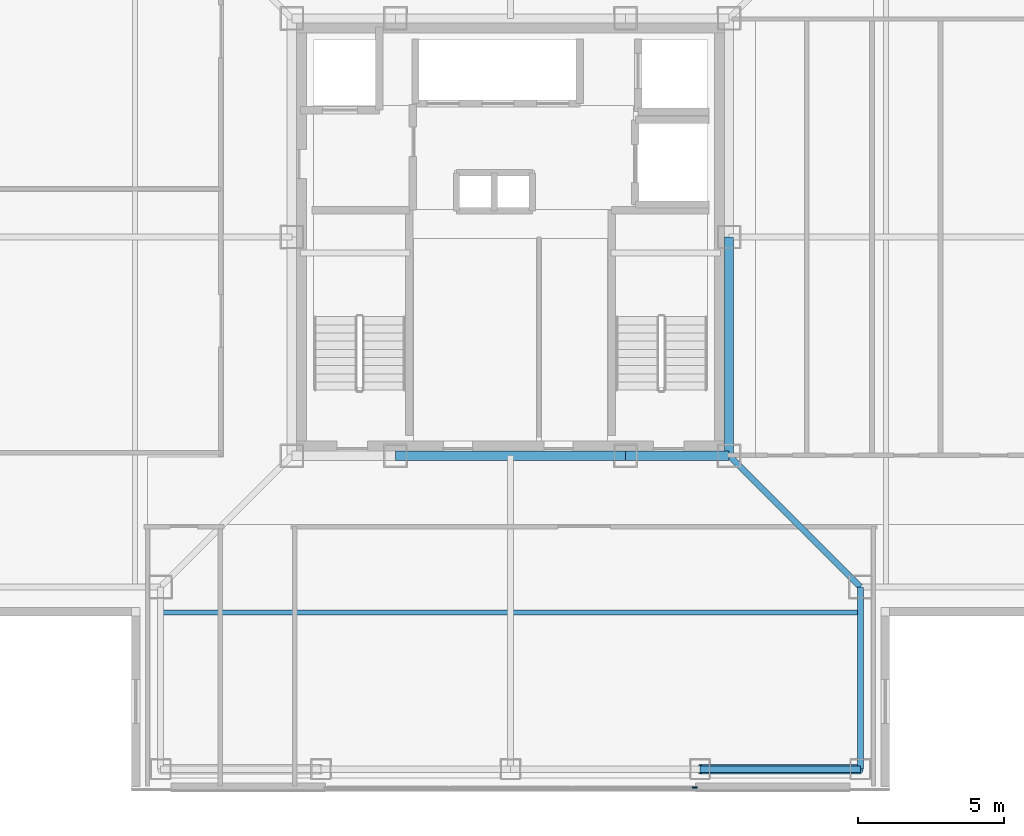
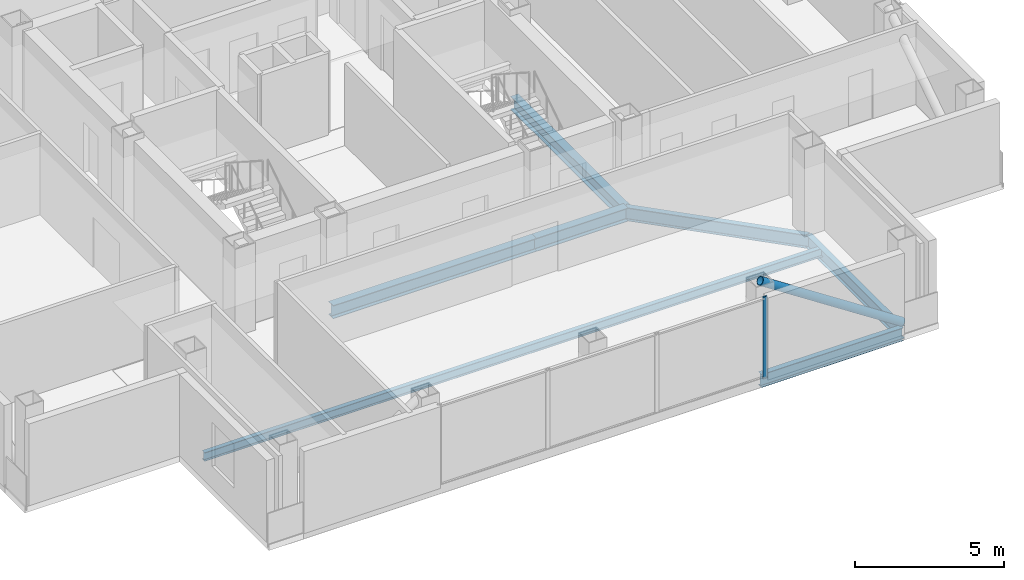
# One storey, part 3 of 16: 7 beams, 2 members, 1 element without a shape of its own.
"""IFC4 building model written with IfcOpenShell, lengths in metres."""

from ifc_helpers import new_model, si_unit, direction, frame, origin, origin_2d, place, context, subcontext, project, spatial, rectangle, hollow_circle, i_section, extrude, material, layer, layer_set, material_profile, profile_set, type_object, element, aggregate, save


model = new_model("IFC4")

# Units and contexts
model_context = context("Model", 3, precision=1e-05, world=origin(), true_north=direction((0.0, 1.0)))
body_context = subcontext(model_context, "Body", "Model", "MODEL_VIEW")
ifc_project = project(units=[si_unit("LENGTHUNIT", "METRE"), si_unit("AREAUNIT", "SQUARE_METRE"), si_unit("VOLUMEUNIT", "CUBIC_METRE"), si_unit("PLANEANGLEUNIT", "RADIAN"), si_unit("MASSUNIT", "GRAM", prefix="KILO")], contexts=[model_context])

# Site, building, storey
site_placement = place(None, origin())
site = spatial("IfcSite", under=ifc_project, at=site_placement, CompositionType="ELEMENT")
building_placement = place(site_placement, origin())
building = spatial("IfcBuilding", under=site, at=building_placement, Name="Trevonay Congress Spire", CompositionType="ELEMENT")
storey_placement = place(building_placement, frame((0.0, 0.0, 257.60009765625)))
storey = spatial("IfcBuildingStorey", under=building, at=storey_placement, Name="L67", CompositionType="ELEMENT", Elevation=257.60009765625)

# Beams
ifc_material_1 = material(Name="Steel ASTM A572 Grade 50", Category="steel")
ifc_material_profile_1 = material_profile(ifc_material_1, i_section(OverallWidth=0.2119140625, OverallDepth=0.5439453125, WebThickness=0.01318359375, FlangeThickness=0.021240234375, FilletRadius=0.014892578125, at=origin_2d()), Name="W530x123")
ifc_profile_set_1 = profile_set([ifc_material_profile_1], Name="Steel ASTM A572 Grade 50")
beam_type_1 = type_object("IfcBeamType", Name="BM-GIRD-W530X123", PredefinedType="BEAM", material=ifc_profile_set_1)
beam_1_placement = place(storey_placement, frame((7.5, -7.5, -0.51220703125), z_axis=(0.707106781187, -0.707106781187, 0.0), x_axis=(0.707106781187, 0.707106781187, 0.0)))
element("IfcBeam", 1, at=beam_1_placement, inside=storey, type_object=beam_type_1, Name="L67 structural beam BM-L67-CDSE", PredefinedType="BEAM", context=body_context, shape_type="SweptSolid", body=[
    extrude(i_section(OverallWidth=0.2119140625, OverallDepth=0.5439453125, WebThickness=0.01318359375, FlangeThickness=0.021240234375, FilletRadius=0.014892578125, at=origin_2d()), origin(), (0.0, 0.0, 1.0), 6.364013671875),
])
ifc_material_profile_2 = material_profile(ifc_material_1, i_section(OverallWidth=0.31201171875, OverallDepth=0.54296875, WebThickness=0.0126953125, FlangeThickness=0.020263671875, FilletRadius=0.014892578125, at=origin_2d()), Name="W530x150")
ifc_profile_set_2 = profile_set([ifc_material_profile_2], Name="Steel ASTM A572 Grade 50")
beam_type_2 = type_object("IfcBeamType", Name="BM-GIRD-W530X150", PredefinedType="BEAM", material=ifc_profile_set_2)
beam_2_placement = place(storey_placement, frame((-3.949951171875, -7.5, -0.51171875), z_axis=(1.0, 0.0, 0.0), x_axis=(0.0, 1.0, 0.0)))
element("IfcBeam", 2, at=beam_2_placement, inside=storey, type_object=beam_type_2, Name="L67 structural beam BM-L67-CR-S2", PredefinedType="BEAM", context=body_context, shape_type="SweptSolid", body=[
    extrude(i_section(OverallWidth=0.31201171875, OverallDepth=0.54296875, WebThickness=0.0126953125, FlangeThickness=0.020263671875, FilletRadius=0.014892578125, at=origin_2d()), origin(), (0.0, 0.0, 1.0), 7.89990234375),
])
beam_3_placement = place(storey_placement, frame((3.949951171875, -7.5, -0.51171875), z_axis=(1.0, 0.0, 0.0), x_axis=(0.0, 1.0, 0.0)))
element("IfcBeam", 3, at=beam_3_placement, inside=storey, type_object=beam_type_2, Name="L67 structural beam BM-L67-CR-S3", PredefinedType="BEAM", context=body_context, shape_type="SweptSolid", body=[
    extrude(i_section(OverallWidth=0.31201171875, OverallDepth=0.54296875, WebThickness=0.0126953125, FlangeThickness=0.020263671875, FilletRadius=0.014892578125, at=origin_2d()), origin(), (0.0, 0.0, 1.0), 3.550048828125),
])
beam_4_placement = place(storey_placement, frame((7.5, -7.5, -0.51171875), z_axis=(0.0, 1.0, 0.0), x_axis=(-1.0, 0.0, 0.0)))
element("IfcBeam", 4, at=beam_4_placement, inside=storey, type_object=beam_type_2, Name="L67 structural beam BM-L67-CR-E1", PredefinedType="BEAM", context=body_context, shape_type="SweptSolid", body=[
    extrude(i_section(OverallWidth=0.31201171875, OverallDepth=0.54296875, WebThickness=0.0126953125, FlangeThickness=0.020263671875, FilletRadius=0.014892578125, at=origin_2d()), origin(), (0.0, 0.0, 1.0), 7.5),
])
ifc_material_profile_3 = material_profile(ifc_material_1, i_section(OverallWidth=0.208984375, OverallDepth=0.532958984375, WebThickness=0.01025390625, FlangeThickness=0.015625, FilletRadius=0.014892578125, at=origin_2d()), Name="W530x92")
ifc_profile_set_3 = profile_set([ifc_material_profile_3], Name="Steel ASTM A572 Grade 50")
beam_type_3 = type_object("IfcBeamType", Name="BM-RING-W530X92", PredefinedType="BEAM", material=ifc_profile_set_3)
beam_5_placement = place(storey_placement, frame((6.5, -18.25, -0.506591796875), z_axis=(1.0, 0.0, 0.0), x_axis=(0.0, 1.0, 0.0)))
element("IfcBeam", 5, at=beam_5_placement, inside=storey, type_object=beam_type_3, Name="L67 structural beam BM-L67-PS4", PredefinedType="BEAM", context=body_context, shape_type="SweptSolid", body=[
    extrude(i_section(OverallWidth=0.208984375, OverallDepth=0.532958984375, WebThickness=0.01025390625, FlangeThickness=0.015625, FilletRadius=0.014892578125, at=origin_2d()), origin(), (0.0, 0.0, 1.0), 5.5),
])
beam_6_placement = place(storey_placement, frame((12.0, -18.25, -0.506591796875), z_axis=(0.0, 1.0, 0.0), x_axis=(-1.0, 0.0, 0.0)))
element("IfcBeam", 6, at=beam_6_placement, inside=storey, type_object=beam_type_3, Name="L67 structural beam BM-L67-N1SE", PredefinedType="BEAM", context=body_context, shape_type="SweptSolid", body=[
    extrude(i_section(OverallWidth=0.208984375, OverallDepth=0.532958984375, WebThickness=0.01025390625, FlangeThickness=0.015625, FilletRadius=0.014892578125, at=origin_2d()), origin(), (0.0, 0.0, 1.0), 6.25),
])

# Curtain wall, member
ifc_material_2 = material(Name="Pale Anodised Aluminium EN AW-6063-T6", Category="aluminium")
ifc_layer = layer(ifc_material_2, 0.1650390625, Name="Pale Anodised Aluminium EN AW-6063-T6")
ifc_layer_set = layer_set([ifc_layer], Name="Pale Anodised Aluminium EN AW-6063-T6")
curtain_wall_type = type_object("IfcCurtainWallType", Name="CW-SYS05-DIPLOM-PALE-METAL", PredefinedType="NOTDEFINED", material=ifc_layer_set)
curtain_wall_placement = place(storey_placement, origin())
curtain_wall = element("IfcCurtainWall", 7, at=curtain_wall_placement, inside=storey, type_object=curtain_wall_type, Name="L67 S unitised curtain wall", PredefinedType="NOTDEFINED")
ifc_material_profile_4 = material_profile(ifc_material_2, rectangle(XDim=0.06005859375, YDim=0.159912109375, at=origin_2d()), Name="CW-MULLION-160-ALUMINIUM")
ifc_profile_set_4 = profile_set([ifc_material_profile_4], Name="Pale Anodised Aluminium EN AW-6063-T6")
member_type_1 = type_object("IfcMemberType", Name="CW-MULLION-160-ALUMINIUM", PredefinedType="MULLION", material=ifc_profile_set_4)
member_1_placement = place(storey_placement, frame((6.320068359375, -18.8798828125, 0.0), z_axis=(0.0, 0.0, 1.0), x_axis=(0.0, 1.0, 0.0)))
member_1 = element("IfcMember", 8, at=member_1_placement, type_object=member_type_1, Name="CW05 mullion 4", PredefinedType="MULLION", context=body_context, shape_type="SweptSolid", body=[
    extrude(rectangle(XDim=0.06005859375, YDim=0.159912109375, at=origin_2d()), origin(), (0.0, 0.0, 1.0), 3.35986328125),
])
aggregate(curtain_wall, [member_1])

# Beam
ifc_material_profile_5 = material_profile(ifc_material_1, i_section(OverallWidth=0.172119140625, OverallDepth=0.35791015625, WebThickness=0.0078125, FlangeThickness=0.01318359375, FilletRadius=0.011962890625, at=origin_2d()), Name="W360x57.8")
ifc_profile_set_5 = profile_set([ifc_material_profile_5], Name="Steel ASTM A572 Grade 50")
beam_type_4 = type_object("IfcBeamType", Name="JS-COMP-W360X57", PredefinedType="JOIST", material=ifc_profile_set_5)
beam_7_placement = place(storey_placement, frame((-12.0, -12.875, -0.419189453125), z_axis=(1.0, 0.0, 0.0), x_axis=(0.0, 1.0, 0.0)))
element("IfcBeam", 9, at=beam_7_placement, inside=storey, type_object=beam_type_4, Name="L67 structural beam JS-L67-RING-S", PredefinedType="JOIST", context=body_context, shape_type="SweptSolid", body=[
    extrude(i_section(OverallWidth=0.172119140625, OverallDepth=0.35791015625, WebThickness=0.0078125, FlangeThickness=0.01318359375, FilletRadius=0.011962890625, at=origin_2d()), origin(), (0.0, 0.0, 1.0), 24.0),
])

# Member
ifc_material_3 = material(Name="Steel ASTM A500 Grade C", Category="steel")
ifc_material_profile_6 = material_profile(ifc_material_3, hollow_circle(Radius=0.161865234375, WallThickness=0.01611328125, at=origin_2d()), Name="CHS 323.9x16")
ifc_profile_set_6 = profile_set([ifc_material_profile_6], Name="Steel ASTM A500 Grade C")
member_type_2 = type_object("IfcMemberType", Name="MBR-TUBE-CHS324", PredefinedType="BRACE", material=ifc_profile_set_6)
member_2_placement = place(storey_placement, frame((12.0, -18.25, -0.050048828125), z_axis=(-0.836711728151, 0.0, 0.547643573845), x_axis=(0.0, -1.0, 0.0)))
element("IfcMember", 10, at=member_2_placement, inside=storey, type_object=member_type_2, Name="L67 perimeter braced-tube diagonal S3", PredefinedType="BRACE", context=body_context, shape_type="SweptSolid", body=[
    extrude(hollow_circle(Radius=0.161865234375, WallThickness=0.01611328125, at=origin_2d()), origin(), (0.0, 0.0, 1.0), 6.5732421875),
])

save(model, "model.ifc")
